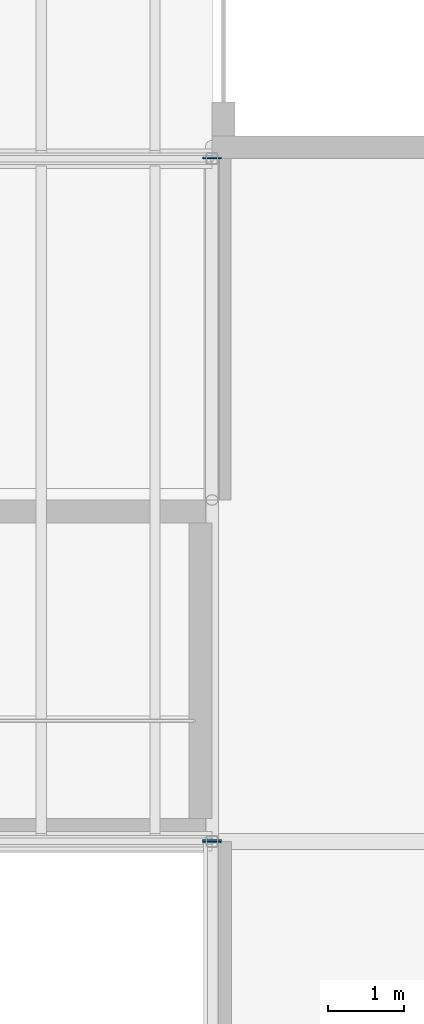
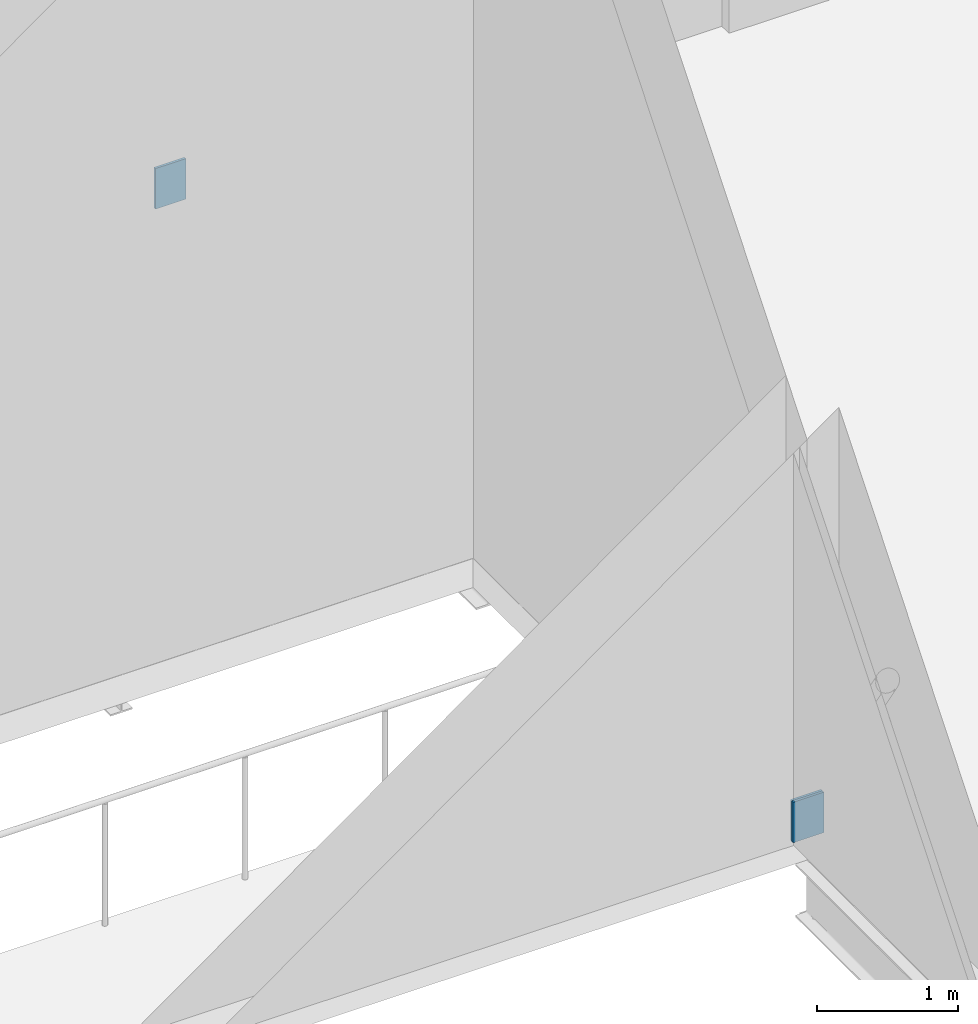
# One storey, part 82 of 90: 3 discrete accessories.
"""IFC4 building model written with IfcOpenShell, lengths in metres."""

from ifc_helpers import new_model, si_unit, direction, frame, origin, origin_2d, place, context, subcontext, project, spatial, rectangle, extrude, element, save


model = new_model("IFC4")

# Units and contexts
model_context = context("Model", 3, precision=1e-05, world=origin(), true_north=direction((0.0, 1.0)))
body_context = subcontext(model_context, "Body", "Model", "MODEL_VIEW")
ifc_project = project(units=[si_unit("LENGTHUNIT", "METRE"), si_unit("AREAUNIT", "SQUARE_METRE"), si_unit("VOLUMEUNIT", "CUBIC_METRE"), si_unit("PLANEANGLEUNIT", "RADIAN"), si_unit("MASSUNIT", "GRAM", prefix="KILO")], contexts=[model_context])

# Site, building, storey
site_placement = place(None, origin())
site = spatial("IfcSite", under=ifc_project, at=site_placement, CompositionType="ELEMENT")
building_placement = place(site_placement, origin())
building = spatial("IfcBuilding", under=site, at=building_placement, Name="Halyard Row Museum", CompositionType="ELEMENT")
storey_placement = place(building_placement, frame((0.0, 0.0, 13.39990234375)))
storey = spatial("IfcBuildingStorey", under=building, at=storey_placement, Name="L03", CompositionType="ELEMENT", Elevation=13.39990234375)

# Discrete accessories
for number, where, z_axis, x_axis, name in (
    (1, (72.0, 18.0, 0.215087890625), (0.0, 1.0, 0.0), (-1.0, 0.0, 0.0), "Brace L03 X72 9-18 B cast-in plate"),
    (2, (72.0, 18.0, 0.215087890625), (0.0, -1.0, 0.0), (1.0, 0.0, 0.0), "Brace L03 X72 18-27 A cast-in plate"),
    (3, (72.0, 27.0, 0.215087890625), (0.0, 1.0, 0.0), (-1.0, 0.0, 0.0), "Brace L03 X72 18-27 B cast-in plate"),
):
    element("IfcDiscreteAccessory", number, at=place(storey_placement, frame(where, z_axis=z_axis, x_axis=x_axis)), inside=storey, Name=name, PredefinedType="ANCHORPLATE", context=body_context, shape_type="SweptSolid", body=[
        extrude(rectangle(XDim=0.25, YDim=0.35009765625, at=origin_2d()), origin(), (0.0, 0.0, 1.0), 0.02001953125),
    ])

save(model, "model.ifc")
